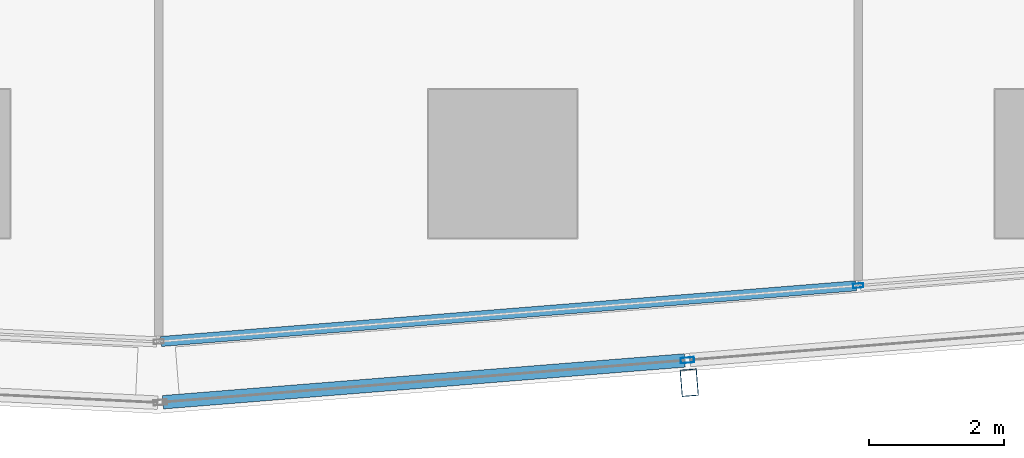
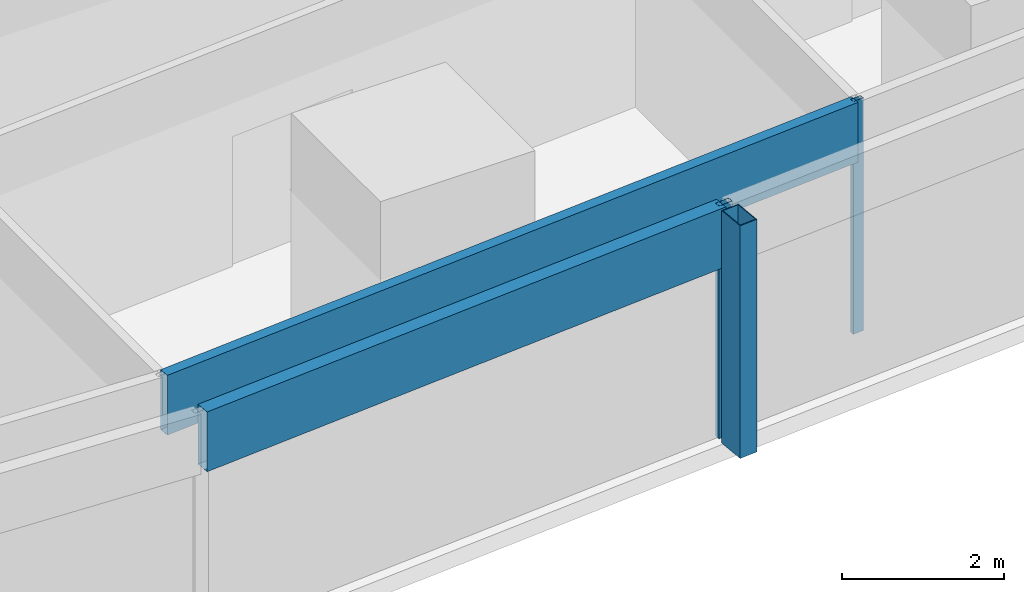
# One storey, part 10 of 44: 5 members, 2 elements without a shape of their own.
"""IFC4 building model written with IfcOpenShell, lengths in metres."""

from ifc_helpers import new_model, si_unit, direction, frame, origin, origin_2d, place, context, subcontext, project, spatial, hollow_rectangle, extrude, material, material_profile, profile_set, type_object, element, aggregate, save


model = new_model("IFC4")

# Units and contexts
model_context = context("Model", 3, precision=1e-05, world=origin(), true_north=direction((0.0, 1.0)))
body_context = subcontext(model_context, "Body", "Model", "MODEL_VIEW")
ifc_project = project(units=[si_unit("LENGTHUNIT", "METRE"), si_unit("AREAUNIT", "SQUARE_METRE"), si_unit("VOLUMEUNIT", "CUBIC_METRE"), si_unit("PLANEANGLEUNIT", "RADIAN"), si_unit("MASSUNIT", "GRAM", prefix="KILO")], contexts=[model_context])

# Site, building, storey
site_placement = place(None, origin())
site = spatial("IfcSite", under=ifc_project, at=site_placement, CompositionType="ELEMENT")
building_placement = place(site_placement, origin())
building = spatial("IfcBuilding", under=site, at=building_placement, Name="Rekha Terrace Tower", CompositionType="ELEMENT")
storey_placement = place(building_placement, frame((0.0, 0.0, 74.14990234375)))
storey = spatial("IfcBuildingStorey", under=building, at=storey_placement, Name="L18", CompositionType="ELEMENT", Elevation=74.14990234375)

# Curtain wall, member
ifc_material_1 = material(Name="Aluminium framing", Category="aluminium")
curtain_wall_type_1 = type_object("IfcCurtainWallType", Name="CW2 double skin outer glazing", PredefinedType="USERDEFINED", material=ifc_material_1)
curtain_wall_1_placement = place(storey_placement, origin())
curtain_wall_1 = element("IfcCurtainWall", 1, at=curtain_wall_1_placement, inside=storey, type_object=curtain_wall_type_1, Name="CW2 double skin outer glazing", ObjectType="DOUBLE SKIN OUTER GLAZING", PredefinedType="USERDEFINED")
ifc_material_2 = material(Name="Steel S355 with fluorocarbon finish", Category="steel")
ifc_material_profile_1 = material_profile(ifc_material_2, hollow_rectangle(XDim=0.25, YDim=0.39990234375, WallThickness=0.012451171875, at=origin_2d()), Name="RHS400x250x12.5")
ifc_profile_set_1 = profile_set([ifc_material_profile_1], Name="Steel S355 with fluorocarbon finish")
member_type_1 = type_object("IfcMemberType", Name="BL1 facade blade RHS 400 x 250", PredefinedType="USERDEFINED", material=ifc_profile_set_1)
member_1_placement = place(storey_placement, frame((53.16748046875, 5.15576171875, 0.0), z_axis=(0.0, 0.0, 1.0), x_axis=(0.996805139821, 0.079871855039, 0.0)))
member_1 = element("IfcMember", 2, at=member_1_placement, type_object=member_type_1, Name="Facade blade", ObjectType="FACADE BLADE", PredefinedType="USERDEFINED", context=body_context, shape_type="SweptSolid", body=[
    extrude(hollow_rectangle(XDim=0.25, YDim=0.39990234375, WallThickness=0.012451171875, at=origin_2d()), origin(), (0.0, 0.0, 1.0), 3.5),
])

# Curtain wall, members
curtain_wall_type_2 = type_object("IfcCurtainWallType", Name="CW1 double skin inner glazing", PredefinedType="USERDEFINED", material=ifc_material_1)
curtain_wall_2_placement = place(storey_placement, origin())
curtain_wall_2 = element("IfcCurtainWall", 3, at=curtain_wall_2_placement, inside=storey, type_object=curtain_wall_type_2, Name="CW1 double skin inner glazing", ObjectType="DOUBLE SKIN INNER GLAZING", PredefinedType="USERDEFINED")
ifc_material_3 = material(Name="Aluminium mullion section", Category="aluminium")
ifc_material_profile_2 = material_profile(ifc_material_3, hollow_rectangle(XDim=0.06494140625, YDim=0.14990234375, WallThickness=0.00390625, at=origin_2d()), Name="AL RHS 65x150")
ifc_profile_set_2 = profile_set([ifc_material_profile_2], Name="Aluminium mullion section")
member_type_2 = type_object("IfcMemberType", Name="CW1 mullion RHS 65 x 150", PredefinedType="MULLION", material=ifc_profile_set_2)
member_2_placement = place(storey_placement, frame((55.672119140625, 6.595458984375, 0.0), z_axis=(0.0, 0.0, 1.0), x_axis=(-0.079872204468, 0.996805111821, 0.0)))
member_2 = element("IfcMember", 4, at=member_2_placement, type_object=member_type_2, Name="CW1 mullion 2", PredefinedType="MULLION", context=body_context, shape_type="SweptSolid", body=[
    extrude(hollow_rectangle(XDim=0.06494140625, YDim=0.14990234375, WallThickness=0.00390625, at=origin_2d()), origin(), (0.0, 0.0, 1.0), 3.5),
])
ifc_material_4 = material(Name="Insulated aluminium spandrel box", Category="aluminium")
ifc_material_profile_3 = material_profile(ifc_material_4, hollow_rectangle(XDim=0.14990234375, YDim=0.89990234375, WallThickness=0.0029296875, at=origin_2d()), Name="AL SPANDREL BOX 150x900")
ifc_profile_set_3 = profile_set([ifc_material_profile_3], Name="Insulated aluminium spandrel box")
member_type_3 = type_object("IfcMemberType", Name="CW1 spandrel transom 150 x 900", PredefinedType="USERDEFINED", material=ifc_profile_set_3)
member_3_placement = place(storey_placement, frame((45.33642578125, 5.767333984375, 3.050048828125), z_axis=(0.996806184606, 0.079858814989, 0.0), x_axis=(-0.079858814989, 0.996806184606, 0.0)))
member_3 = element("IfcMember", 5, at=member_3_placement, type_object=member_type_3, Name="CW1 spandrel transom 1", ObjectType="TRANSOM", PredefinedType="USERDEFINED", context=body_context, shape_type="SweptSolid", body=[
    extrude(hollow_rectangle(XDim=0.14990234375, YDim=0.89990234375, WallThickness=0.0029296875, at=origin_2d()), origin(), (0.0, 0.0, 1.0), 10.336181640625),
])
aggregate(curtain_wall_2, [member_2, member_3])

# Member
ifc_material_profile_4 = material_profile(ifc_material_3, hollow_rectangle(XDim=0.080078125, YDim=0.199951171875, WallThickness=0.00390625, at=origin_2d()), Name="AL RHS 80x200")
ifc_profile_set_4 = profile_set([ifc_material_profile_4], Name="Aluminium mullion section")
member_type_4 = type_object("IfcMemberType", Name="CW2 mullion RHS 80 x 200", PredefinedType="MULLION", material=ifc_profile_set_4)
member_4_placement = place(storey_placement, frame((53.140869140625, 5.48974609375, 0.0), z_axis=(0.0, 0.0, 1.0), x_axis=(-0.079872204468, 0.996805111821, 0.0)))
member_4 = element("IfcMember", 6, at=member_4_placement, type_object=member_type_4, Name="CW2 mullion 2", PredefinedType="MULLION", context=body_context, shape_type="SweptSolid", body=[
    extrude(hollow_rectangle(XDim=0.080078125, YDim=0.199951171875, WallThickness=0.00390625, at=origin_2d()), origin(), (0.0, 0.0, 1.0), 3.5),
])

ifc_material_profile_5 = material_profile(ifc_material_4, hollow_rectangle(XDim=0.199951171875, YDim=0.89990234375, WallThickness=0.0029296875, at=origin_2d()), Name="AL SPANDREL BOX 200x900")
ifc_profile_set_5 = profile_set([ifc_material_profile_5], Name="Insulated aluminium spandrel box")
member_type_5 = type_object("IfcMemberType", Name="CW2 spandrel transom 200 x 900", PredefinedType="USERDEFINED", material=ifc_profile_set_5)
member_5_placement = place(storey_placement, frame((45.365234375, 4.86669921875, 3.050048828125), z_axis=(0.996804766607, 0.079876512622, 0.0), x_axis=(-0.079876512622, 0.996804766607, 0.0)))
member_5 = element("IfcMember", 7, at=member_5_placement, type_object=member_type_5, Name="CW2 spandrel transom 1", ObjectType="TRANSOM", PredefinedType="USERDEFINED", context=body_context, shape_type="SweptSolid", body=[
    extrude(hollow_rectangle(XDim=0.199951171875, YDim=0.89990234375, WallThickness=0.0029296875, at=origin_2d()), origin(), (0.0, 0.0, 1.0), 7.760498046875),
])

aggregate(curtain_wall_1, [member_4, member_5, member_1])

save(model, "model.ifc")
